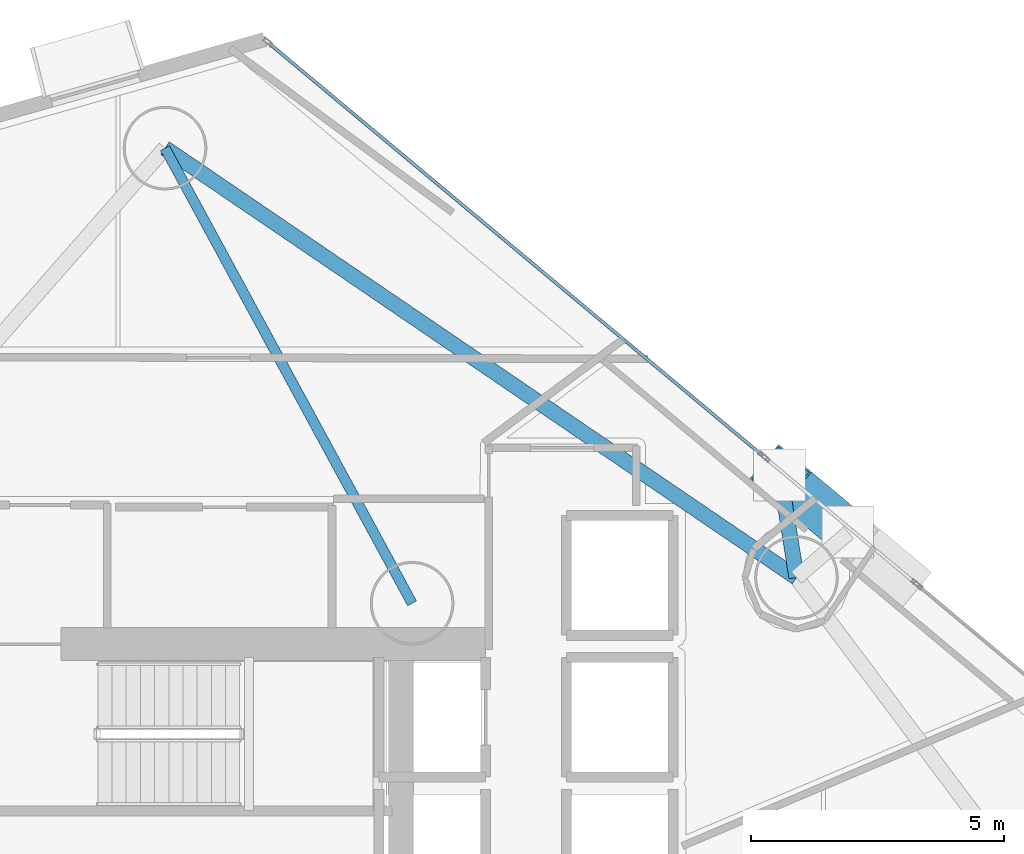
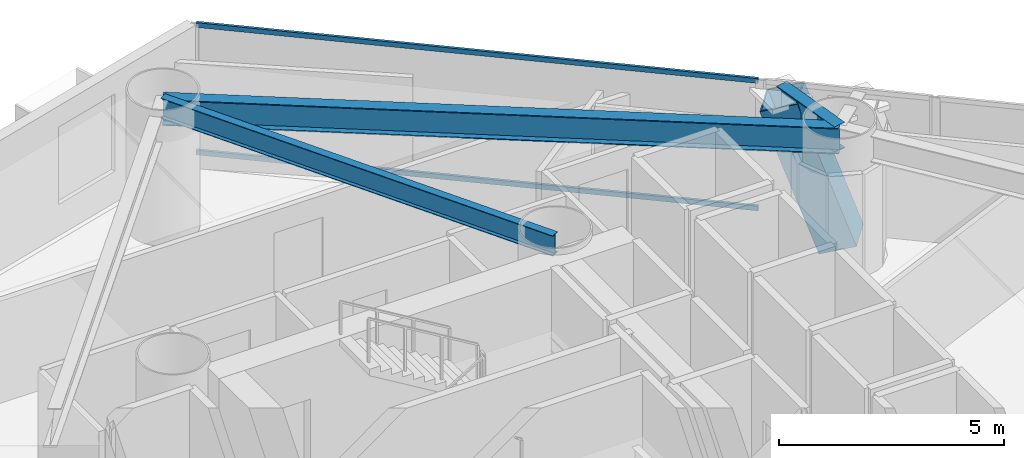
# One storey, part 11 of 23: 3 beams, 3 members, 1 element without a shape of its own.
"""IFC4 building model written with IfcOpenShell, lengths in metres."""

from ifc_helpers import new_model, si_unit, direction, frame, origin, origin_2d, place, context, subcontext, project, spatial, hollow_rectangle, i_section, extrude, material, layer, layer_set, material_profile, profile_set, type_object, element, aggregate, save


model = new_model("IFC4")

# Units and contexts
model_context = context("Model", 3, precision=1e-05, world=origin(), true_north=direction((0.0, 1.0)))
body_context = subcontext(model_context, "Body", "Model", "MODEL_VIEW")
ifc_project = project(units=[si_unit("LENGTHUNIT", "METRE"), si_unit("AREAUNIT", "SQUARE_METRE"), si_unit("VOLUMEUNIT", "CUBIC_METRE"), si_unit("PLANEANGLEUNIT", "RADIAN"), si_unit("MASSUNIT", "GRAM", prefix="KILO")], contexts=[model_context])

# Site, building, storey
site_placement = place(None, origin())
site = spatial("IfcSite", under=ifc_project, at=site_placement, CompositionType="ELEMENT")
building_placement = place(site_placement, origin())
building = spatial("IfcBuilding", under=site, at=building_placement, Name="Qianvela Tower", CompositionType="ELEMENT")
storey_placement = place(building_placement, frame((0.0, 0.0, 78.39990234375)))
storey = spatial("IfcBuildingStorey", under=building, at=storey_placement, Name="L19", CompositionType="ELEMENT", Elevation=78.39990234375)

# Beams
ifc_material_1 = material(Name="Steel Q355B", Category="steel")
ifc_material_profile_1 = material_profile(ifc_material_1, i_section(OverallWidth=0.199951171875, OverallDepth=0.550048828125, WebThickness=0.010009765625, FlangeThickness=0.01611328125, at=origin_2d()), Name="HN550x200x10x16")
ifc_profile_set_1 = profile_set([ifc_material_profile_1], Name="Steel Q355B")
beam_type_1 = type_object("IfcBeamType", Name="BM-HN550-GIRD", PredefinedType="BEAM", material=ifc_profile_set_1)
beam_1_placement = place(storey_placement, frame((38.39990234375, 33.550048828125, 3.2431640625), z_axis=(-0.477069714043, 0.878865454972, 0.0), x_axis=(-0.878865454972, -0.477069714043, 0.0)))
element("IfcBeam", 1, at=beam_1_placement, inside=storey, type_object=beam_type_1, Name="L19 Radial Primary Floor Girder 3", PredefinedType="BEAM", context=body_context, shape_type="SweptSolid", body=[
    extrude(i_section(OverallWidth=0.199951171875, OverallDepth=0.550048828125, WebThickness=0.010009765625, FlangeThickness=0.01611328125, at=origin_2d()), origin(), (0.0, 0.0, 1.0), 10.216552734375),
])
ifc_material_2 = material(Name="Steel Q355B", Category="steel")
ifc_material_profile_2 = material_profile(ifc_material_2, i_section(OverallWidth=0.300048828125, OverallDepth=0.699951171875, WebThickness=0.012939453125, FlangeThickness=0.02392578125, at=origin_2d()), Name="HN700x300x13x24")
ifc_profile_set_2 = profile_set([ifc_material_profile_2], Name="Steel Q355B")
beam_type_2 = type_object("IfcBeamType", Name="BM-HN700-SPAND", PredefinedType="SPANDREL", material=ifc_profile_set_2)
beam_2_placement = place(storey_placement, frame((45.98388671875, 34.056884765625, 3.168212890625), z_axis=(-0.156048803807, 0.987749346155, 0.0), x_axis=(-0.987749346155, -0.156048803807, 0.0)))
element("IfcBeam", 2, at=beam_2_placement, inside=storey, type_object=beam_type_2, Name="L19 Mega-Brace Column Tie Bracket F1-2", PredefinedType="SPANDREL", context=body_context, shape_type="SweptSolid", body=[
    extrude(i_section(OverallWidth=0.300048828125, OverallDepth=0.699951171875, WebThickness=0.012939453125, FlangeThickness=0.02392578125, at=origin_2d()), origin(), (0.0, 0.0, 1.0), 2.035400390625),
])
beam_3_placement = place(storey_placement, frame((45.98388671875, 34.056884765625, 3.168212890625), z_axis=(-0.826904197504, 0.562342820839, 0.0), x_axis=(-0.562342820839, -0.826904197504, 0.0)))
element("IfcBeam", 3, at=beam_3_placement, inside=storey, type_object=beam_type_2, Name="L19 Perimeter Ring Spandrel Girder 2", PredefinedType="SPANDREL", context=body_context, shape_type="SweptSolid", body=[
    extrude(i_section(OverallWidth=0.300048828125, OverallDepth=0.699951171875, WebThickness=0.012939453125, FlangeThickness=0.02392578125, at=origin_2d()), origin(), (0.0, 0.0, 1.0), 15.06591796875),
])

# Curtain wall, members
ifc_material_3 = material(Name="Anodised Architectural Aluminium and Low-E Glass", Category="aluminium")
ifc_layer = layer(ifc_material_3, 0.179931640625)
ifc_layer_set = layer_set([ifc_layer], Name="Anodised Architectural Aluminium and Low-E Glass")
curtain_wall_type = type_object("IfcCurtainWallType", Name="CW-COLIV-Z12", PredefinedType="USERDEFINED", material=ifc_layer_set)
curtain_wall_placement = place(storey_placement, origin())
curtain_wall = element("IfcCurtainWall", 4, at=curtain_wall_placement, inside=storey, type_object=curtain_wall_type, Name="L19 CW-COLIV-Z12 Curtain Wall 02C", ObjectType="CURTAIN_WALL_SYSTEM", PredefinedType="USERDEFINED")
ifc_material_4 = material(Name="Anodised Architectural Aluminium 6063-T6", Category="aluminium")
ifc_material_profile_3 = material_profile(ifc_material_4, hollow_rectangle(XDim=0.06494140625, YDim=0.1298828125, WallThickness=0.00439453125, at=origin_2d()), Name="ALU-TRAN-65x130")
ifc_profile_set_3 = profile_set([ifc_material_profile_3], Name="Anodised Architectural Aluminium 6063-T6")
member_type_1 = type_object("IfcMemberType", Name="CW-COLIV-Z12-TRAN", PredefinedType="USERDEFINED", material=ifc_profile_set_3)
member_1_placement = place(storey_placement, frame((45.298583984375, 36.478759765625, 0.03271484375), z_axis=(-0.76746850453, 0.641086651362, 0.0), x_axis=(-0.641086651362, -0.76746850453, 0.0)))
member_1 = element("IfcMember", 5, at=member_1_placement, type_object=member_type_1, Name="CW-3 transom 1.1", ObjectType="TRANSOM", PredefinedType="USERDEFINED", context=body_context, shape_type="SweptSolid", body=[
    extrude(hollow_rectangle(XDim=0.06494140625, YDim=0.1298828125, WallThickness=0.00439453125, at=origin_2d()), origin(), (0.0, 0.0, 1.0), 12.662841796875),
])
member_2_placement = place(storey_placement, frame((45.298583984375, 36.478759765625, 3.487548828125), z_axis=(-0.76746850453, 0.641086651362, 0.0), x_axis=(-0.641086651362, -0.76746850453, 0.0)))
member_2 = element("IfcMember", 6, at=member_2_placement, type_object=member_type_1, Name="CW-3 transom 1.2", ObjectType="TRANSOM", PredefinedType="USERDEFINED", context=body_context, shape_type="SweptSolid", body=[
    extrude(hollow_rectangle(XDim=0.06494140625, YDim=0.1298828125, WallThickness=0.00439453125, at=origin_2d()), origin(), (0.0, 0.0, 1.0), 12.662841796875),
])
aggregate(curtain_wall, [member_1, member_2])

# Member
ifc_material_5 = material(Name="Steel Q420GJC", Category="steel")
ifc_material_profile_4 = material_profile(ifc_material_5, hollow_rectangle(XDim=0.89990234375, YDim=0.89990234375, WallThickness=0.035888671875, at=origin_2d()), Name="MBOX-900x900x36")
ifc_profile_set_4 = profile_set([ifc_material_profile_4], Name="Steel Q420GJC")
member_type_2 = type_object("IfcMemberType", Name="MBR-MBRACE-900", PredefinedType="BRACE", material=ifc_profile_set_4)
member_3_placement = place(storey_placement, frame((46.691162109375, 35.211181640625, -0.531982421875), z_axis=(-0.260536065573, 0.21765125821, 0.940610912299), x_axis=(-0.641118959922, -0.767441515185, 0.0)))
element("IfcMember", 7, at=member_3_placement, inside=storey, type_object=member_type_2, Name="L19 Tier 3 Exterior Mega-Brace F1B", PredefinedType="BRACE", context=body_context, shape_type="SweptSolid", body=[
    extrude(hollow_rectangle(XDim=0.89990234375, YDim=0.89990234375, WallThickness=0.035888671875, at=origin_2d()), origin(), (0.0, 0.0, 1.0), 3.933837890625),
])

save(model, "model.ifc")
